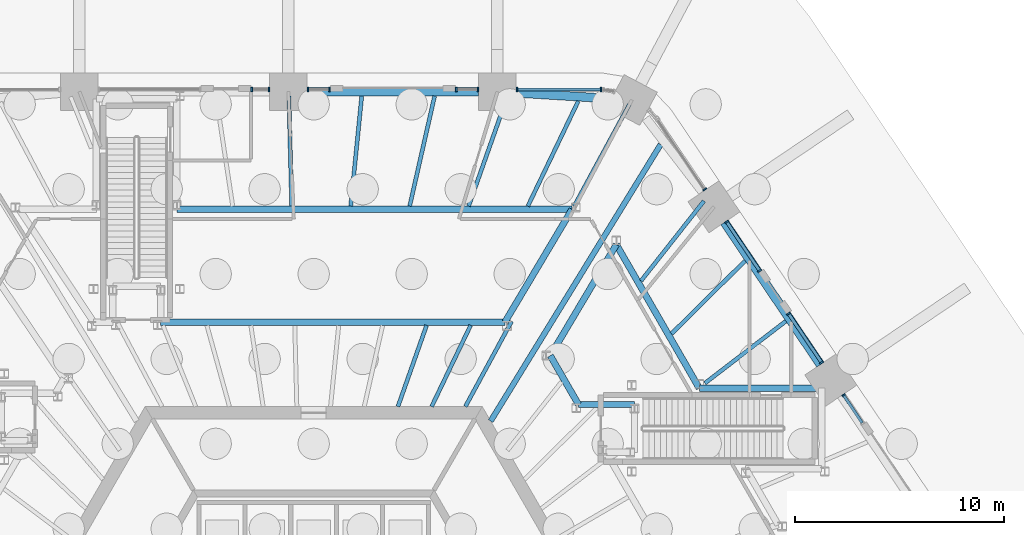
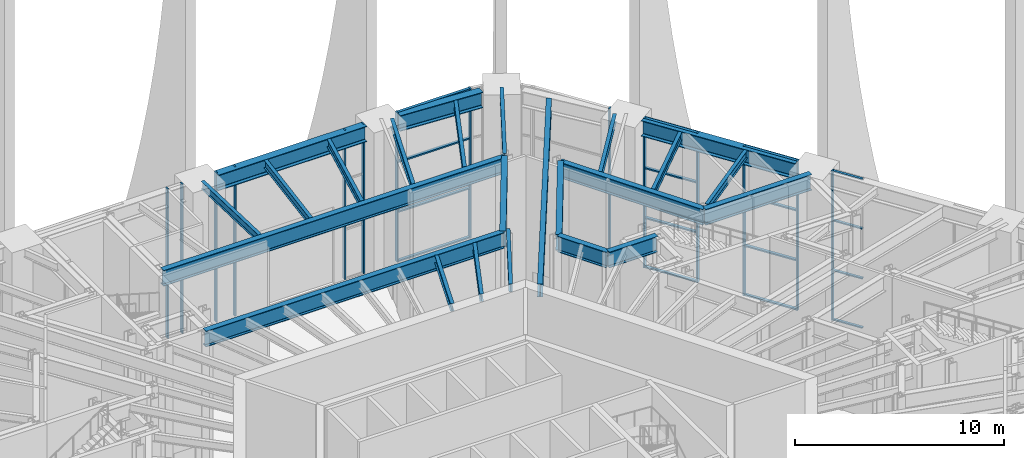
# One storey, part 13 of 43: 30 members, 24 beams, 8 elements without a shape of their own.
"""IFC4 building model written with IfcOpenShell, lengths in metres."""

from ifc_helpers import new_model, si_unit, direction, frame, origin, origin_2d, place, context, subcontext, project, spatial, rectangle, i_section, extrude, material, material_profile, profile_set, type_object, element, aggregate, save


model = new_model("IFC4")

# Units and contexts
model_context = context("Model", 3, precision=1e-05, world=origin(), true_north=direction((0.0, 1.0)))
body_context = subcontext(model_context, "Body", "Model", "MODEL_VIEW")
ifc_project = project(units=[si_unit("LENGTHUNIT", "METRE"), si_unit("AREAUNIT", "SQUARE_METRE"), si_unit("VOLUMEUNIT", "CUBIC_METRE"), si_unit("PLANEANGLEUNIT", "RADIAN"), si_unit("MASSUNIT", "GRAM", prefix="KILO")], contexts=[model_context])

# Site, building, storey
site_placement = place(None, origin())
site = spatial("IfcSite", under=ifc_project, at=site_placement, CompositionType="ELEMENT")
building_placement = place(site_placement, origin())
building = spatial("IfcBuilding", under=site, at=building_placement, Name="Tarnside Tower", CompositionType="ELEMENT")
storey_placement = place(building_placement, origin())
storey = spatial("IfcBuildingStorey", under=building, at=storey_placement, Name="L00", CompositionType="ELEMENT", Elevation=0.0)

# Beams
ifc_material_1 = material(Name="Steel S355", Category="steel")
ifc_material_profile_1 = material_profile(ifc_material_1, i_section(OverallWidth=0.18994140625, OverallDepth=0.453369140625, WebThickness=0.008544921875, FlangeThickness=0.0126953125, FilletRadius=0.01025390625, at=origin_2d()), Name="UB 457x191x67")
ifc_profile_set_1 = profile_set([ifc_material_profile_1], Name="Steel S355")
beam_type_1 = type_object("IfcBeamType", Name="Floor beam UB 457x191x67", PredefinedType="BEAM", material=ifc_profile_set_1)
beam_1_placement = place(storey_placement, frame((12.690185546875, 28.6494140625, 8.523193359375), z_axis=(-0.43274951716, -0.90151420144, 0.0), x_axis=(0.90151420144, -0.43274951716, 0.0)))
element("IfcBeam", 1, at=beam_1_placement, inside=storey, type_object=beam_type_1, Name="Floor beam F1.01a", PredefinedType="BEAM", context=body_context, shape_type="SweptSolid", body=[
    extrude(i_section(OverallWidth=0.18994140625, OverallDepth=0.453369140625, WebThickness=0.008544921875, FlangeThickness=0.0126953125, FilletRadius=0.01025390625, at=origin_2d()), origin(), (0.0, 0.0, 1.0), 5.592529296875),
])
beam_2_placement = place(storey_placement, frame((7.526611328125, 17.892333984375, 8.523193359375), z_axis=(-0.432793567251, -0.901493054963, 0.0), x_axis=(0.901493054963, -0.432793567251, 0.0)))
element("IfcBeam", 2, at=beam_2_placement, inside=storey, type_object=beam_type_1, Name="Floor beam F1.01b", PredefinedType="BEAM", context=body_context, shape_type="SweptSolid", body=[
    extrude(i_section(OverallWidth=0.18994140625, OverallDepth=0.453369140625, WebThickness=0.008544921875, FlangeThickness=0.0126953125, FilletRadius=0.01025390625, at=origin_2d()), origin(), (0.0, 0.0, 1.0), 4.317626953125),
])
beam_3_placement = place(storey_placement, frame((9.283935546875, 28.860107421875, 8.523193359375), z_axis=(-0.332696302074, -0.943034024087, 0.0), x_axis=(0.943034024087, -0.332696302074, 0.0)))
element("IfcBeam", 3, at=beam_3_placement, inside=storey, type_object=beam_type_1, Name="Floor beam F1.02a", PredefinedType="BEAM", context=body_context, shape_type="SweptSolid", body=[
    extrude(i_section(OverallWidth=0.18994140625, OverallDepth=0.453369140625, WebThickness=0.008544921875, FlangeThickness=0.0126953125, FilletRadius=0.01025390625, at=origin_2d()), origin(), (0.0, 0.0, 1.0), 5.56982421875),
])
beam_4_placement = place(storey_placement, frame((5.41455078125, 17.892333984375, 8.523193359375), z_axis=(-0.332665410554, -0.943044921847, 0.0), x_axis=(0.943044921847, -0.332665410554, 0.0)))
element("IfcBeam", 4, at=beam_4_placement, inside=storey, type_object=beam_type_1, Name="Floor beam F1.02b", PredefinedType="BEAM", context=body_context, shape_type="SweptSolid", body=[
    extrude(i_section(OverallWidth=0.18994140625, OverallDepth=0.453369140625, WebThickness=0.008544921875, FlangeThickness=0.0126953125, FilletRadius=0.01025390625, at=origin_2d()), origin(), (0.0, 0.0, 1.0), 4.12744140625),
])
beam_5_placement = place(storey_placement, frame((5.799560546875, 28.8896484375, 8.523193359375), z_axis=(-0.221019013346, -0.975269499031, 0.0), x_axis=(0.975269499031, -0.221019013346, 0.0)))
element("IfcBeam", 5, at=beam_5_placement, inside=storey, type_object=beam_type_1, Name="Floor beam F1.03a", PredefinedType="BEAM", context=body_context, shape_type="SweptSolid", body=[
    extrude(i_section(OverallWidth=0.18994140625, OverallDepth=0.453369140625, WebThickness=0.008544921875, FlangeThickness=0.0126953125, FilletRadius=0.01025390625, at=origin_2d()), origin(), (0.0, 0.0, 1.0), 5.416015625),
])
beam_6_placement = place(storey_placement, frame((2.304931640625, 28.889892578125, 8.523193359375), z_axis=(-0.100022772104, -0.994985148161, 0.0), x_axis=(0.994985148161, -0.100022772104, 0.0)))
element("IfcBeam", 6, at=beam_6_placement, inside=storey, type_object=beam_type_1, Name="Floor beam F1.04a", PredefinedType="BEAM", context=body_context, shape_type="SweptSolid", body=[
    extrude(i_section(OverallWidth=0.18994140625, OverallDepth=0.453369140625, WebThickness=0.008544921875, FlangeThickness=0.0126953125, FilletRadius=0.01025390625, at=origin_2d()), origin(), (0.0, 0.0, 1.0), 5.308837890625),
])
beam_7_placement = place(storey_placement, frame((-1.189697265625, 28.889892578125, 8.523193359375), z_axis=(0.025597082498, -0.999672341004, 0.0), x_axis=(0.999672341004, 0.025597082498, 0.0)))
element("IfcBeam", 7, at=beam_7_placement, inside=storey, type_object=beam_type_1, Name="Floor beam F1.05a", PredefinedType="BEAM", context=body_context, shape_type="SweptSolid", body=[
    extrude(i_section(OverallWidth=0.18994140625, OverallDepth=0.453369140625, WebThickness=0.008544921875, FlangeThickness=0.0126953125, FilletRadius=0.01025390625, at=origin_2d()), origin(), (0.0, 0.0, 1.0), 5.283935546875),
])
beam_8_placement = place(storey_placement, frame((22.643310546875, 18.093505859375, 8.523193359375), z_axis=(-0.793636087197, -0.608392768775, 0.0), x_axis=(0.608392768775, -0.793636087197, 0.0)))
element("IfcBeam", 8, at=beam_8_placement, inside=storey, type_object=beam_type_1, Name="Floor beam F6.06a", PredefinedType="BEAM", context=body_context, shape_type="SweptSolid", body=[
    extrude(i_section(OverallWidth=0.18994140625, OverallDepth=0.453369140625, WebThickness=0.008544921875, FlangeThickness=0.0126953125, FilletRadius=0.01025390625, at=origin_2d()), origin(), (0.0, 0.0, 1.0), 4.890869140625),
])
beam_9_placement = place(storey_placement, frame((20.690185546875, 20.98876953125, 8.523193359375), z_axis=(-0.71036703657, -0.703831423961, 0.0), x_axis=(0.703831423961, -0.71036703657, 0.0)))
element("IfcBeam", 9, at=beam_9_placement, inside=storey, type_object=beam_type_1, Name="Floor beam F6.07a", PredefinedType="BEAM", context=body_context, shape_type="SweptSolid", body=[
    extrude(i_section(OverallWidth=0.18994140625, OverallDepth=0.453369140625, WebThickness=0.008544921875, FlangeThickness=0.0126953125, FilletRadius=0.01025390625, at=origin_2d()), origin(), (0.0, 0.0, 1.0), 4.96826171875),
])
beam_10_placement = place(storey_placement, frame((18.718017578125, 23.85693359375, 8.523193359375), z_axis=(-0.618972334388, -0.785412789087, 0.0), x_axis=(0.785412789087, -0.618972334388, 0.0)))
element("IfcBeam", 10, at=beam_10_placement, inside=storey, type_object=beam_type_1, Name="Floor beam F6.08a", PredefinedType="BEAM", context=body_context, shape_type="SweptSolid", body=[
    extrude(i_section(OverallWidth=0.18994140625, OverallDepth=0.453369140625, WebThickness=0.008544921875, FlangeThickness=0.0126953125, FilletRadius=0.01025390625, at=origin_2d()), origin(), (0.0, 0.0, 1.0), 4.878662109375),
])
beam_11_placement = place(storey_placement, frame((15.14404296875, 28.49755859375, 8.523193359375), z_axis=(-0.477061843932, -0.878869727015, 0.0), x_axis=(0.878869727015, -0.477061843932, 0.0)))
element("IfcBeam", 11, at=beam_11_placement, inside=storey, type_object=beam_type_1, Name="Floor beam C6a", PredefinedType="BEAM", context=body_context, shape_type="SweptSolid", body=[
    extrude(i_section(OverallWidth=0.18994140625, OverallDepth=0.453369140625, WebThickness=0.008544921875, FlangeThickness=0.0126953125, FilletRadius=0.01025390625, at=origin_2d()), origin(), (0.0, 0.0, 1.0), 5.563720703125),
])
beam_12_placement = place(storey_placement, frame((9.490966796875, 18.083251953125, 8.523193359375), z_axis=(-0.477039677542, -0.878881758856, 0.0), x_axis=(0.878881758856, -0.477039677542, 0.0)))
element("IfcBeam", 12, at=beam_12_placement, inside=storey, type_object=beam_type_1, Name="Floor beam C6b", PredefinedType="BEAM", context=body_context, shape_type="SweptSolid", body=[
    extrude(i_section(OverallWidth=0.18994140625, OverallDepth=0.453369140625, WebThickness=0.008544921875, FlangeThickness=0.0126953125, FilletRadius=0.01025390625, at=origin_2d()), origin(), (0.0, 0.0, 1.0), 4.64599609375),
])
ifc_material_profile_2 = material_profile(ifc_material_1, i_section(OverallWidth=0.26513671875, OverallDepth=0.75390625, WebThickness=0.0126953125, FlangeThickness=0.017578125, FilletRadius=0.0166015625, at=origin_2d()), Name="UB 762x267x147")
ifc_profile_set_2 = profile_set([ifc_material_profile_2], Name="Steel S355")
beam_type_2 = type_object("IfcBeamType", Name="Floor beam UB 762x267x147", PredefinedType="BEAM", material=ifc_profile_set_2)
beam_13_placement = place(storey_placement, frame((16.638427734375, 26.562744140625, 8.373046875), z_axis=(-0.523617838834, -0.851953260957, 0.0), x_axis=(0.851953260957, -0.523617838834, 0.0)))
element("IfcBeam", 13, at=beam_13_placement, inside=storey, type_object=beam_type_2, Name="Floor beam F6.09", PredefinedType="BEAM", context=body_context, shape_type="SweptSolid", body=[
    extrude(i_section(OverallWidth=0.26513671875, OverallDepth=0.75390625, WebThickness=0.0126953125, FlangeThickness=0.017578125, FilletRadius=0.0166015625, at=origin_2d()), origin(), (0.0, 0.0, 1.0), 15.5673828125),
])

# Curtain wall, members
ifc_material_2 = material(Name="Lobby entrance glazing wall", Category="glass")
curtain_wall_type_1 = type_object("IfcCurtainWallType", Name="Lobby entrance glazing wall", PredefinedType="NOTDEFINED", material=ifc_material_2)
curtain_wall_1_placement = place(storey_placement, origin())
curtain_wall_1 = element("IfcCurtainWall", 14, at=curtain_wall_1_placement, inside=storey, type_object=curtain_wall_type_1, Name="Side light 20b", PredefinedType="NOTDEFINED")
ifc_material_3 = material(Name="Aluminium alloy 6063", Category="aluminium")
ifc_material_profile_3 = material_profile(ifc_material_3, rectangle(XDim=0.179931640625, YDim=0.070068359375, at=origin_2d()), Name="Lobby entrance glazing mullion 70 x 180")
ifc_profile_set_3 = profile_set([ifc_material_profile_3], Name="Aluminium alloy 6063")
member_type_1 = type_object("IfcMemberType", Name="Lobby entrance glazing mullion 70 x 180", PredefinedType="MULLION", material=ifc_profile_set_3)
member_1_placement = place(storey_placement, frame((25.407958984375, 14.54931640625, 0.0), z_axis=(0.0, 0.0, 1.0), x_axis=(-0.829037572594, -0.559192903413, 0.0)))
member_1 = element("IfcMember", 15, at=member_1_placement, type_object=member_type_1, Name="CW3 mullion 2", PredefinedType="MULLION", context=body_context, shape_type="SweptSolid", body=[
    extrude(rectangle(XDim=0.179931640625, YDim=0.070068359375, at=origin_2d()), origin(), (0.0, 0.0, 1.0), 8.75),
])
ifc_material_profile_4 = material_profile(ifc_material_3, rectangle(XDim=0.139892578125, YDim=0.070068359375, at=origin_2d()), Name="Lobby entrance glazing transom 70 x 140")
ifc_profile_set_4 = profile_set([ifc_material_profile_4], Name="Aluminium alloy 6063")
member_type_2 = type_object("IfcMemberType", Name="Lobby entrance glazing transom 70 x 140", PredefinedType="USERDEFINED", material=ifc_profile_set_4)
member_2_placement = place(storey_placement, frame((26.306396484375, 13.217041015625, 0.034912109375), z_axis=(-0.559136702783, 0.829075477626, 0.0), x_axis=(-0.829075477626, -0.559136702783, 0.0)))
member_2 = element("IfcMember", 16, at=member_2_placement, type_object=member_type_2, Name="CW3 transom 1.1", ObjectType="TRANSOM", PredefinedType="USERDEFINED", context=body_context, shape_type="SweptSolid", body=[
    extrude(rectangle(XDim=0.139892578125, YDim=0.070068359375, at=origin_2d()), origin(), (0.0, 0.0, 1.0), 1.57177734375),
])
member_3_placement = place(storey_placement, frame((26.306396484375, 13.217041015625, 2.916748046875), z_axis=(-0.559136702783, 0.829075477626, 0.0), x_axis=(-0.829075477626, -0.559136702783, 0.0)))
member_3 = element("IfcMember", 17, at=member_3_placement, type_object=member_type_2, Name="CW3 transom 1.2", ObjectType="TRANSOM", PredefinedType="USERDEFINED", context=body_context, shape_type="SweptSolid", body=[
    extrude(rectangle(XDim=0.139892578125, YDim=0.070068359375, at=origin_2d()), origin(), (0.0, 0.0, 1.0), 1.57177734375),
])
member_4_placement = place(storey_placement, frame((26.306396484375, 13.217041015625, 5.833251953125), z_axis=(-0.559136702783, 0.829075477626, 0.0), x_axis=(-0.829075477626, -0.559136702783, 0.0)))
member_4 = element("IfcMember", 18, at=member_4_placement, type_object=member_type_2, Name="CW3 transom 1.3", ObjectType="TRANSOM", PredefinedType="USERDEFINED", context=body_context, shape_type="SweptSolid", body=[
    extrude(rectangle(XDim=0.139892578125, YDim=0.070068359375, at=origin_2d()), origin(), (0.0, 0.0, 1.0), 1.57177734375),
])
member_5_placement = place(storey_placement, frame((26.306396484375, 13.217041015625, 8.715087890625), z_axis=(-0.559136702783, 0.829075477626, 0.0), x_axis=(-0.829075477626, -0.559136702783, 0.0)))
member_5 = element("IfcMember", 19, at=member_5_placement, type_object=member_type_2, Name="CW3 transom 1.4", ObjectType="TRANSOM", PredefinedType="USERDEFINED", context=body_context, shape_type="SweptSolid", body=[
    extrude(rectangle(XDim=0.139892578125, YDim=0.070068359375, at=origin_2d()), origin(), (0.0, 0.0, 1.0), 1.57177734375),
])
aggregate(curtain_wall_1, [member_1, member_2, member_3, member_4, member_5])

# Beams
ifc_material_profile_5 = material_profile(ifc_material_1, i_section(OverallWidth=0.3076171875, OverallDepth=0.926513671875, WebThickness=0.01953125, FlangeThickness=0.031982421875, FilletRadius=0.01904296875, at=origin_2d()), Name="UB 914x305x289")
ifc_profile_set_5 = profile_set([ifc_material_profile_5], Name="Steel S355")
beam_type_3 = type_object("IfcBeamType", Name="Perimeter girder UB 914x305x289", PredefinedType="BEAM", material=ifc_profile_set_5)
beam_14_placement = place(storey_placement, frame((12.699462890625, 14.09619140625, 8.28662109375), z_axis=(-0.500011469263, 0.866018781901, 0.0), x_axis=(-0.866018781901, -0.500011469263, 0.0)))
element("IfcBeam", 20, at=beam_14_placement, inside=storey, type_object=beam_type_3, Name="Perimeter girder T24", PredefinedType="BEAM", context=body_context, shape_type="SweptSolid", body=[
    extrude(i_section(OverallWidth=0.3076171875, OverallDepth=0.926513671875, WebThickness=0.01953125, FlangeThickness=0.031982421875, FilletRadius=0.01904296875, at=origin_2d()), origin(), (0.0, 0.0, 1.0), 2.70556640625),
])
beam_15_placement = place(storey_placement, frame((11.3466796875, 16.439208984375, 8.28662109375), z_axis=(0.51128302078, 0.859412399644, 0.0), x_axis=(-0.859412399644, 0.51128302078, 0.0)))
element("IfcBeam", 21, at=beam_15_placement, inside=storey, type_object=beam_type_3, Name="Perimeter girder T25", PredefinedType="BEAM", context=body_context, shape_type="SweptSolid", body=[
    extrude(i_section(OverallWidth=0.3076171875, OverallDepth=0.926513671875, WebThickness=0.01953125, FlangeThickness=0.031982421875, FilletRadius=0.01904296875, at=origin_2d()), origin(), (0.0, 0.0, 1.0), 6.197998046875),
])
beam_16_placement = place(storey_placement, frame((14.515625, 21.765869140625, 8.28662109375), z_axis=(0.500012117035, -0.866018407898, 0.0), x_axis=(0.866018407898, 0.500012117035, 0.0)))
element("IfcBeam", 22, at=beam_16_placement, inside=storey, type_object=beam_type_3, Name="Perimeter girder T26", PredefinedType="BEAM", context=body_context, shape_type="SweptSolid", body=[
    extrude(i_section(OverallWidth=0.3076171875, OverallDepth=0.926513671875, WebThickness=0.01953125, FlangeThickness=0.031982421875, FilletRadius=0.01904296875, at=origin_2d()), origin(), (0.0, 0.0, 1.0), 7.952392578125),
])
beam_17_placement = place(storey_placement, frame((18.491943359375, 14.87890625, 8.28662109375), z_axis=(1.0, 0.0, 0.0), x_axis=(0.0, 1.0, 0.0)))
element("IfcBeam", 23, at=beam_17_placement, inside=storey, type_object=beam_type_3, Name="Perimeter girder T27", PredefinedType="BEAM", context=body_context, shape_type="SweptSolid", body=[
    extrude(i_section(OverallWidth=0.3076171875, OverallDepth=0.926513671875, WebThickness=0.01953125, FlangeThickness=0.031982421875, FilletRadius=0.01904296875, at=origin_2d()), origin(), (0.0, 0.0, 1.0), 5.871826171875),
])
beam_18_placement = place(storey_placement, frame((15.38623046875, 14.09619140625, 8.28662109375), z_axis=(-1.0, 0.0, 0.0), x_axis=(0.0, -1.0, 0.0)))
element("IfcBeam", 24, at=beam_18_placement, inside=storey, type_object=beam_type_3, Name="Perimeter girder T35", PredefinedType="BEAM", context=body_context, shape_type="SweptSolid", body=[
    extrude(i_section(OverallWidth=0.3076171875, OverallDepth=0.926513671875, WebThickness=0.01953125, FlangeThickness=0.031982421875, FilletRadius=0.01904296875, at=origin_2d()), origin(), (0.0, 0.0, 1.0), 2.686767578125),
])
beam_19_placement = place(storey_placement, frame((-6.560791015625, 23.453857421875, 8.28662109375), z_axis=(1.0, 0.0, 0.0), x_axis=(0.0, 1.0, 0.0)))
element("IfcBeam", 25, at=beam_19_placement, inside=storey, type_object=beam_type_3, Name="Perimeter girder T40", PredefinedType="BEAM", context=body_context, shape_type="SweptSolid", body=[
    extrude(i_section(OverallWidth=0.3076171875, OverallDepth=0.926513671875, WebThickness=0.01953125, FlangeThickness=0.031982421875, FilletRadius=0.01904296875, at=origin_2d()), origin(), (0.0, 0.0, 1.0), 18.947998046875),
])
beam_20_placement = place(storey_placement, frame((12.38720703125, 23.453857421875, 8.28662109375), z_axis=(-0.511296948487, -0.859404113597, 0.0), x_axis=(0.859404113597, -0.511296948487, 0.0)))
element("IfcBeam", 26, at=beam_20_placement, inside=storey, type_object=beam_type_3, Name="Perimeter girder T41", PredefinedType="BEAM", context=body_context, shape_type="SweptSolid", body=[
    extrude(i_section(OverallWidth=0.3076171875, OverallDepth=0.926513671875, WebThickness=0.01953125, FlangeThickness=0.031982421875, FilletRadius=0.01904296875, at=origin_2d()), origin(), (0.0, 0.0, 1.0), 6.29248046875),
])
beam_21_placement = place(storey_placement, frame((9.169921875, 18.046142578125, 8.28662109375), z_axis=(-1.0, 0.0, 0.0), x_axis=(0.0, -1.0, 0.0)))
element("IfcBeam", 27, at=beam_21_placement, inside=storey, type_object=beam_type_3, Name="Perimeter girder T42", PredefinedType="BEAM", context=body_context, shape_type="SweptSolid", body=[
    extrude(i_section(OverallWidth=0.3076171875, OverallDepth=0.926513671875, WebThickness=0.01953125, FlangeThickness=0.031982421875, FilletRadius=0.01904296875, at=origin_2d()), origin(), (0.0, 0.0, 1.0), 16.513427734375),
])
ifc_material_4 = material(Name="Steel S460", Category="steel")
ifc_material_profile_6 = material_profile(ifc_material_4, i_section(OverallWidth=0.42041015625, OverallDepth=0.9208984375, WebThickness=0.021484375, FlangeThickness=0.03662109375, FilletRadius=0.024169921875, at=origin_2d()), Name="UB 914x419x388")
ifc_profile_set_6 = profile_set([ifc_material_profile_6], Name="Steel S460")
beam_type_4 = type_object("IfcBeamType", Name="Perimeter girder UB 914x419x388", PredefinedType="BEAM", material=ifc_profile_set_6)
beam_22_placement = place(storey_placement, frame((7.91259765625, 29.10009765625, 8.28955078125), z_axis=(-1.0, 0.0, 0.0), x_axis=(0.0, -1.0, 0.0)))
element("IfcBeam", 28, at=beam_22_placement, inside=storey, type_object=beam_type_4, Name="Perimeter girder M01", PredefinedType="BEAM", context=body_context, shape_type="SweptSolid", body=[
    extrude(i_section(OverallWidth=0.42041015625, OverallDepth=0.9208984375, WebThickness=0.021484375, FlangeThickness=0.03662109375, FilletRadius=0.024169921875, at=origin_2d()), origin(), (0.0, 0.0, 1.0), 8.2236328125),
])
beam_23_placement = place(storey_placement, frame((24.298828125, 16.0146484375, 8.28955078125), z_axis=(-0.559179633433, 0.829046523154, 0.0), x_axis=(-0.829046523154, -0.559179633433, 0.0)))
element("IfcBeam", 29, at=beam_23_placement, inside=storey, type_object=beam_type_4, Name="Perimeter girder M22", PredefinedType="BEAM", context=body_context, shape_type="SweptSolid", body=[
    extrude(i_section(OverallWidth=0.42041015625, OverallDepth=0.9208984375, WebThickness=0.021484375, FlangeThickness=0.03662109375, FilletRadius=0.024169921875, at=origin_2d()), origin(), (0.0, 0.0, 1.0), 8.223388671875),
])
beam_24_placement = place(storey_placement, frame((14.16259765625, 28.768798828125, 8.28955078125), z_axis=(-0.998088356317, 0.061803179402, 0.0), x_axis=(-0.061803179402, -0.998088356317, 0.0)))
element("IfcBeam", 30, at=beam_24_placement, inside=storey, type_object=beam_type_4, Name="Perimeter girder M24", PredefinedType="BEAM", context=body_context, shape_type="SweptSolid", body=[
    extrude(i_section(OverallWidth=0.42041015625, OverallDepth=0.9208984375, WebThickness=0.021484375, FlangeThickness=0.03662109375, FilletRadius=0.024169921875, at=origin_2d()), origin(), (0.0, 0.0, 1.0), 4.440185546875),
])

# Curtain wall, members
ifc_material_5 = material(Name="Station concourse glazing wall", Category="glass")
curtain_wall_type_2 = type_object("IfcCurtainWallType", Name="Station concourse glazing wall", PredefinedType="NOTDEFINED", material=ifc_material_5)
curtain_wall_2_placement = place(storey_placement, origin())
curtain_wall_2 = element("IfcCurtainWall", 31, at=curtain_wall_2_placement, inside=storey, type_object=curtain_wall_type_2, Name="Side light 00a", PredefinedType="NOTDEFINED")
ifc_material_profile_7 = material_profile(ifc_material_3, rectangle(XDim=0.199951171875, YDim=0.080078125, at=origin_2d()), Name="Station concourse glazing mullion 80 x 200")
ifc_profile_set_7 = profile_set([ifc_material_profile_7], Name="Aluminium alloy 6063")
member_type_3 = type_object("IfcMemberType", Name="Station concourse glazing mullion 80 x 200", PredefinedType="MULLION", material=ifc_profile_set_7)
member_6_placement = place(storey_placement, frame((7.87255859375, 29.199951171875, 0.0), z_axis=(0.0, 0.0, 1.0), x_axis=(0.0, -1.0, 0.0)))
member_6 = element("IfcMember", 32, at=member_6_placement, type_object=member_type_3, Name="CW1 mullion 1", PredefinedType="MULLION", context=body_context, shape_type="SweptSolid", body=[
    extrude(rectangle(XDim=0.199951171875, YDim=0.080078125, at=origin_2d()), origin(), (0.0, 0.0, 1.0), 8.75),
])
member_7_placement = place(storey_placement, frame((6.8408203125, 29.199951171875, 0.0), z_axis=(0.0, 0.0, 1.0), x_axis=(0.0, -1.0, 0.0)))
member_7 = element("IfcMember", 33, at=member_7_placement, type_object=member_type_3, Name="CW1 mullion 2", PredefinedType="MULLION", context=body_context, shape_type="SweptSolid", body=[
    extrude(rectangle(XDim=0.199951171875, YDim=0.080078125, at=origin_2d()), origin(), (0.0, 0.0, 1.0), 8.75),
])
aggregate(curtain_wall_2, [member_6, member_7])

curtain_wall_3_placement = place(storey_placement, origin())
curtain_wall_3 = element("IfcCurtainWall", 34, at=curtain_wall_3_placement, inside=storey, type_object=curtain_wall_type_2, Name="Side light 00b", PredefinedType="NOTDEFINED")
member_8_placement = place(storey_placement, frame((0.7607421875, 29.199951171875, 0.0), z_axis=(0.0, 0.0, 1.0), x_axis=(0.0, -1.0, 0.0)))
member_8 = element("IfcMember", 35, at=member_8_placement, type_object=member_type_3, Name="CW1 mullion 1", PredefinedType="MULLION", context=body_context, shape_type="SweptSolid", body=[
    extrude(rectangle(XDim=0.199951171875, YDim=0.080078125, at=origin_2d()), origin(), (0.0, 0.0, 1.0), 8.75),
])
member_9_placement = place(storey_placement, frame((-0.27099609375, 29.199951171875, 0.0), z_axis=(0.0, 0.0, 1.0), x_axis=(0.0, -1.0, 0.0)))
member_9 = element("IfcMember", 36, at=member_9_placement, type_object=member_type_3, Name="CW1 mullion 2", PredefinedType="MULLION", context=body_context, shape_type="SweptSolid", body=[
    extrude(rectangle(XDim=0.199951171875, YDim=0.080078125, at=origin_2d()), origin(), (0.0, 0.0, 1.0), 8.75),
])
aggregate(curtain_wall_3, [member_8, member_9])

curtain_wall_4_placement = place(storey_placement, origin())
curtain_wall_4 = element("IfcCurtainWall", 37, at=curtain_wall_4_placement, inside=storey, type_object=curtain_wall_type_2, Name="Side light 010a", PredefinedType="NOTDEFINED")
member_10_placement = place(storey_placement, frame((-2.151123046875, 29.199951171875, 0.0), z_axis=(0.0, 0.0, 1.0), x_axis=(0.0, -1.0, 0.0)))
member_10 = element("IfcMember", 38, at=member_10_placement, type_object=member_type_3, Name="CW1 mullion 1", PredefinedType="MULLION", context=body_context, shape_type="SweptSolid", body=[
    extrude(rectangle(XDim=0.199951171875, YDim=0.080078125, at=origin_2d()), origin(), (0.0, 0.0, 1.0), 8.75),
])
member_11_placement = place(storey_placement, frame((-2.97119140625, 29.199951171875, 0.0), z_axis=(0.0, 0.0, 1.0), x_axis=(0.0, -1.0, 0.0)))
member_11 = element("IfcMember", 39, at=member_11_placement, type_object=member_type_3, Name="CW1 mullion 2", PredefinedType="MULLION", context=body_context, shape_type="SweptSolid", body=[
    extrude(rectangle(XDim=0.199951171875, YDim=0.080078125, at=origin_2d()), origin(), (0.0, 0.0, 1.0), 8.75),
])
aggregate(curtain_wall_4, [member_10, member_11])

curtain_wall_5_placement = place(storey_placement, origin())
curtain_wall_5 = element("IfcCurtainWall", 40, at=curtain_wall_5_placement, inside=storey, type_object=curtain_wall_type_2, Name="Side light 210a", PredefinedType="NOTDEFINED")
member_12_placement = place(storey_placement, frame((24.359375, 16.103759765625, 0.0), z_axis=(0.0, 0.0, 1.0), x_axis=(-0.829037572594, -0.559192903413, 0.0)))
member_12 = element("IfcMember", 41, at=member_12_placement, type_object=member_type_3, Name="CW1 mullion 1", PredefinedType="MULLION", context=body_context, shape_type="SweptSolid", body=[
    extrude(rectangle(XDim=0.199951171875, YDim=0.080078125, at=origin_2d()), origin(), (0.0, 0.0, 1.0), 8.75),
])
member_13_placement = place(storey_placement, frame((22.77587890625, 18.451416015625, 0.0), z_axis=(0.0, 0.0, 1.0), x_axis=(-0.829037572594, -0.559192903413, 0.0)))
member_13 = element("IfcMember", 42, at=member_13_placement, type_object=member_type_3, Name="CW1 mullion 2", PredefinedType="MULLION", context=body_context, shape_type="SweptSolid", body=[
    extrude(rectangle(XDim=0.199951171875, YDim=0.080078125, at=origin_2d()), origin(), (0.0, 0.0, 1.0), 8.75),
])

curtain_wall_6_placement = place(storey_placement, origin())
curtain_wall_6 = element("IfcCurtainWall", 43, at=curtain_wall_6_placement, inside=storey, type_object=curtain_wall_type_2, Name="Side light 210x1", PredefinedType="NOTDEFINED")
member_14_placement = place(storey_placement, frame((21.38916015625, 20.50732421875, 0.0), z_axis=(0.0, 0.0, 1.0), x_axis=(-0.829037572438, -0.559192903644, 0.0)))
member_14 = element("IfcMember", 44, at=member_14_placement, type_object=member_type_3, Name="CW1 mullion 1", PredefinedType="MULLION", context=body_context, shape_type="SweptSolid", body=[
    extrude(rectangle(XDim=0.199951171875, YDim=0.080078125, at=origin_2d()), origin(), (0.0, 0.0, 1.0), 8.75),
])
member_15_placement = place(storey_placement, frame((19.8056640625, 22.855224609375, 0.0), z_axis=(0.0, 0.0, 1.0), x_axis=(-0.829037572438, -0.559192903644, 0.0)))
member_15 = element("IfcMember", 45, at=member_15_placement, type_object=member_type_3, Name="CW1 mullion 2", PredefinedType="MULLION", context=body_context, shape_type="SweptSolid", body=[
    extrude(rectangle(XDim=0.199951171875, YDim=0.080078125, at=origin_2d()), origin(), (0.0, 0.0, 1.0), 8.75),
])

# Curtain wall, member
curtain_wall_7_placement = place(storey_placement, origin())
curtain_wall_7 = element("IfcCurtainWall", 46, at=curtain_wall_7_placement, inside=storey, type_object=curtain_wall_type_2, Name="Station concourse glazing L00 22.0", PredefinedType="NOTDEFINED")
member_16_placement = place(storey_placement, frame((18.75439453125, 24.413818359375, 0.0), z_axis=(0.0, 0.0, 1.0), x_axis=(-0.829037572487, -0.559192903572, 0.0)))
member_16 = element("IfcMember", 47, at=member_16_placement, type_object=member_type_3, Name="CW1 mullion 1", PredefinedType="MULLION", context=body_context, shape_type="SweptSolid", body=[
    extrude(rectangle(XDim=0.199951171875, YDim=0.080078125, at=origin_2d()), origin(), (0.0, 0.0, 1.0), 8.75),
])
aggregate(curtain_wall_7, [member_16])

# Curtain wall, members
curtain_wall_8_placement = place(storey_placement, origin())
curtain_wall_8 = element("IfcCurtainWall", 48, at=curtain_wall_8_placement, inside=storey, type_object=curtain_wall_type_2, Name="Station concourse glazing L00 23.1", PredefinedType="NOTDEFINED")
member_17_placement = place(storey_placement, frame((13.784423828125, 29.199951171875, 0.0), z_axis=(0.0, 0.0, 1.0), x_axis=(0.0, -1.0, 0.0)))
member_17 = element("IfcMember", 49, at=member_17_placement, type_object=member_type_3, Name="CW1 mullion 1", PredefinedType="MULLION", context=body_context, shape_type="SweptSolid", body=[
    extrude(rectangle(XDim=0.199951171875, YDim=0.080078125, at=origin_2d()), origin(), (0.0, 0.0, 1.0), 8.75),
])
member_18_placement = place(storey_placement, frame((9.752685546875, 29.199951171875, 0.0), z_axis=(0.0, 0.0, 1.0), x_axis=(0.0, -1.0, 0.0)))
member_18 = element("IfcMember", 50, at=member_18_placement, type_object=member_type_3, Name="CW1 mullion 2", PredefinedType="MULLION", context=body_context, shape_type="SweptSolid", body=[
    extrude(rectangle(XDim=0.199951171875, YDim=0.080078125, at=origin_2d()), origin(), (0.0, 0.0, 1.0), 8.75),
])

# Member
ifc_material_profile_8 = material_profile(ifc_material_3, rectangle(XDim=0.159912109375, YDim=0.080078125, at=origin_2d()), Name="Station concourse glazing transom 80 x 160")
ifc_profile_set_8 = profile_set([ifc_material_profile_8], Name="Aluminium alloy 6063")
member_type_4 = type_object("IfcMemberType", Name="Station concourse glazing transom 80 x 160", PredefinedType="USERDEFINED", material=ifc_profile_set_8)
member_19_placement = place(storey_placement, frame((24.337158203125, 16.136962890625, 0.0400390625), z_axis=(-0.559216832591, 0.829021431657, 0.0), x_axis=(-0.829021431657, -0.559216832591, 0.0)))
member_19 = element("IfcMember", 51, at=member_19_placement, type_object=member_type_4, Name="CW1 transom 1.1", ObjectType="TRANSOM", PredefinedType="USERDEFINED", context=body_context, shape_type="SweptSolid", body=[
    extrude(rectangle(XDim=0.159912109375, YDim=0.080078125, at=origin_2d()), origin(), (0.0, 0.0, 1.0), 2.751708984375),
])

member_20_placement = place(storey_placement, frame((24.337158203125, 16.136962890625, 2.916748046875), z_axis=(-0.559216832591, 0.829021431657, 0.0), x_axis=(-0.829021431657, -0.559216832591, 0.0)))
member_20 = element("IfcMember", 52, at=member_20_placement, type_object=member_type_4, Name="CW1 transom 1.2", ObjectType="TRANSOM", PredefinedType="USERDEFINED", context=body_context, shape_type="SweptSolid", body=[
    extrude(rectangle(XDim=0.159912109375, YDim=0.080078125, at=origin_2d()), origin(), (0.0, 0.0, 1.0), 2.751708984375),
])

member_21_placement = place(storey_placement, frame((24.337158203125, 16.136962890625, 5.833251953125), z_axis=(-0.559216832591, 0.829021431657, 0.0), x_axis=(-0.829021431657, -0.559216832591, 0.0)))
member_21 = element("IfcMember", 53, at=member_21_placement, type_object=member_type_4, Name="CW1 transom 1.3", ObjectType="TRANSOM", PredefinedType="USERDEFINED", context=body_context, shape_type="SweptSolid", body=[
    extrude(rectangle(XDim=0.159912109375, YDim=0.080078125, at=origin_2d()), origin(), (0.0, 0.0, 1.0), 2.751708984375),
])

member_22_placement = place(storey_placement, frame((24.337158203125, 16.136962890625, 8.7099609375), z_axis=(-0.559216832591, 0.829021431657, 0.0), x_axis=(-0.829021431657, -0.559216832591, 0.0)))
member_22 = element("IfcMember", 54, at=member_22_placement, type_object=member_type_4, Name="CW1 transom 1.4", ObjectType="TRANSOM", PredefinedType="USERDEFINED", context=body_context, shape_type="SweptSolid", body=[
    extrude(rectangle(XDim=0.159912109375, YDim=0.080078125, at=origin_2d()), origin(), (0.0, 0.0, 1.0), 2.751708984375),
])

aggregate(curtain_wall_5, [member_12, member_13, member_19, member_20, member_21, member_22])

member_23_placement = place(storey_placement, frame((21.36669921875, 20.54052734375, 0.0400390625), z_axis=(-0.559175703014, 0.82904917415, 0.0), x_axis=(-0.82904917415, -0.559175703014, 0.0)))
member_23 = element("IfcMember", 55, at=member_23_placement, type_object=member_type_4, Name="CW1 transom 1.1", ObjectType="TRANSOM", PredefinedType="USERDEFINED", context=body_context, shape_type="SweptSolid", body=[
    extrude(rectangle(XDim=0.159912109375, YDim=0.080078125, at=origin_2d()), origin(), (0.0, 0.0, 1.0), 2.751953125),
])

member_24_placement = place(storey_placement, frame((21.36669921875, 20.54052734375, 2.916748046875), z_axis=(-0.559175703014, 0.82904917415, 0.0), x_axis=(-0.82904917415, -0.559175703014, 0.0)))
member_24 = element("IfcMember", 56, at=member_24_placement, type_object=member_type_4, Name="CW1 transom 1.2", ObjectType="TRANSOM", PredefinedType="USERDEFINED", context=body_context, shape_type="SweptSolid", body=[
    extrude(rectangle(XDim=0.159912109375, YDim=0.080078125, at=origin_2d()), origin(), (0.0, 0.0, 1.0), 2.751953125),
])

member_25_placement = place(storey_placement, frame((21.36669921875, 20.54052734375, 5.833251953125), z_axis=(-0.559175703014, 0.82904917415, 0.0), x_axis=(-0.82904917415, -0.559175703014, 0.0)))
member_25 = element("IfcMember", 57, at=member_25_placement, type_object=member_type_4, Name="CW1 transom 1.3", ObjectType="TRANSOM", PredefinedType="USERDEFINED", context=body_context, shape_type="SweptSolid", body=[
    extrude(rectangle(XDim=0.159912109375, YDim=0.080078125, at=origin_2d()), origin(), (0.0, 0.0, 1.0), 2.751953125),
])

member_26_placement = place(storey_placement, frame((21.36669921875, 20.54052734375, 8.7099609375), z_axis=(-0.559175703014, 0.82904917415, 0.0), x_axis=(-0.82904917415, -0.559175703014, 0.0)))
member_26 = element("IfcMember", 58, at=member_26_placement, type_object=member_type_4, Name="CW1 transom 1.4", ObjectType="TRANSOM", PredefinedType="USERDEFINED", context=body_context, shape_type="SweptSolid", body=[
    extrude(rectangle(XDim=0.159912109375, YDim=0.080078125, at=origin_2d()), origin(), (0.0, 0.0, 1.0), 2.751953125),
])

aggregate(curtain_wall_6, [member_14, member_15, member_23, member_24, member_25, member_26])

member_27_placement = place(storey_placement, frame((13.744384765625, 29.199951171875, 0.0400390625), z_axis=(-1.0, 0.0, 0.0), x_axis=(0.0, -1.0, 0.0)))
member_27 = element("IfcMember", 59, at=member_27_placement, type_object=member_type_4, Name="CW1 transom 1.1", ObjectType="TRANSOM", PredefinedType="USERDEFINED", context=body_context, shape_type="SweptSolid", body=[
    extrude(rectangle(XDim=0.159912109375, YDim=0.080078125, at=origin_2d()), origin(), (0.0, 0.0, 1.0), 3.95166015625),
])

member_28_placement = place(storey_placement, frame((13.744384765625, 29.199951171875, 2.916748046875), z_axis=(-1.0, 0.0, 0.0), x_axis=(0.0, -1.0, 0.0)))
member_28 = element("IfcMember", 60, at=member_28_placement, type_object=member_type_4, Name="CW1 transom 1.2", ObjectType="TRANSOM", PredefinedType="USERDEFINED", context=body_context, shape_type="SweptSolid", body=[
    extrude(rectangle(XDim=0.159912109375, YDim=0.080078125, at=origin_2d()), origin(), (0.0, 0.0, 1.0), 3.95166015625),
])

member_29_placement = place(storey_placement, frame((13.744384765625, 29.199951171875, 5.833251953125), z_axis=(-1.0, 0.0, 0.0), x_axis=(0.0, -1.0, 0.0)))
member_29 = element("IfcMember", 61, at=member_29_placement, type_object=member_type_4, Name="CW1 transom 1.3", ObjectType="TRANSOM", PredefinedType="USERDEFINED", context=body_context, shape_type="SweptSolid", body=[
    extrude(rectangle(XDim=0.159912109375, YDim=0.080078125, at=origin_2d()), origin(), (0.0, 0.0, 1.0), 3.95166015625),
])

member_30_placement = place(storey_placement, frame((13.744384765625, 29.199951171875, 8.7099609375), z_axis=(-1.0, 0.0, 0.0), x_axis=(0.0, -1.0, 0.0)))
member_30 = element("IfcMember", 62, at=member_30_placement, type_object=member_type_4, Name="CW1 transom 1.4", ObjectType="TRANSOM", PredefinedType="USERDEFINED", context=body_context, shape_type="SweptSolid", body=[
    extrude(rectangle(XDim=0.159912109375, YDim=0.080078125, at=origin_2d()), origin(), (0.0, 0.0, 1.0), 3.95166015625),
])

aggregate(curtain_wall_8, [member_17, member_18, member_27, member_28, member_29, member_30])

save(model, "model.ifc")
